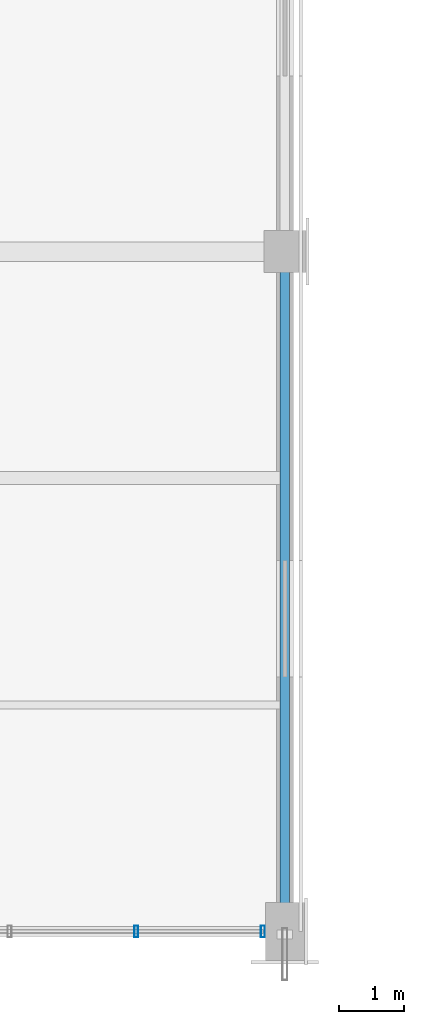
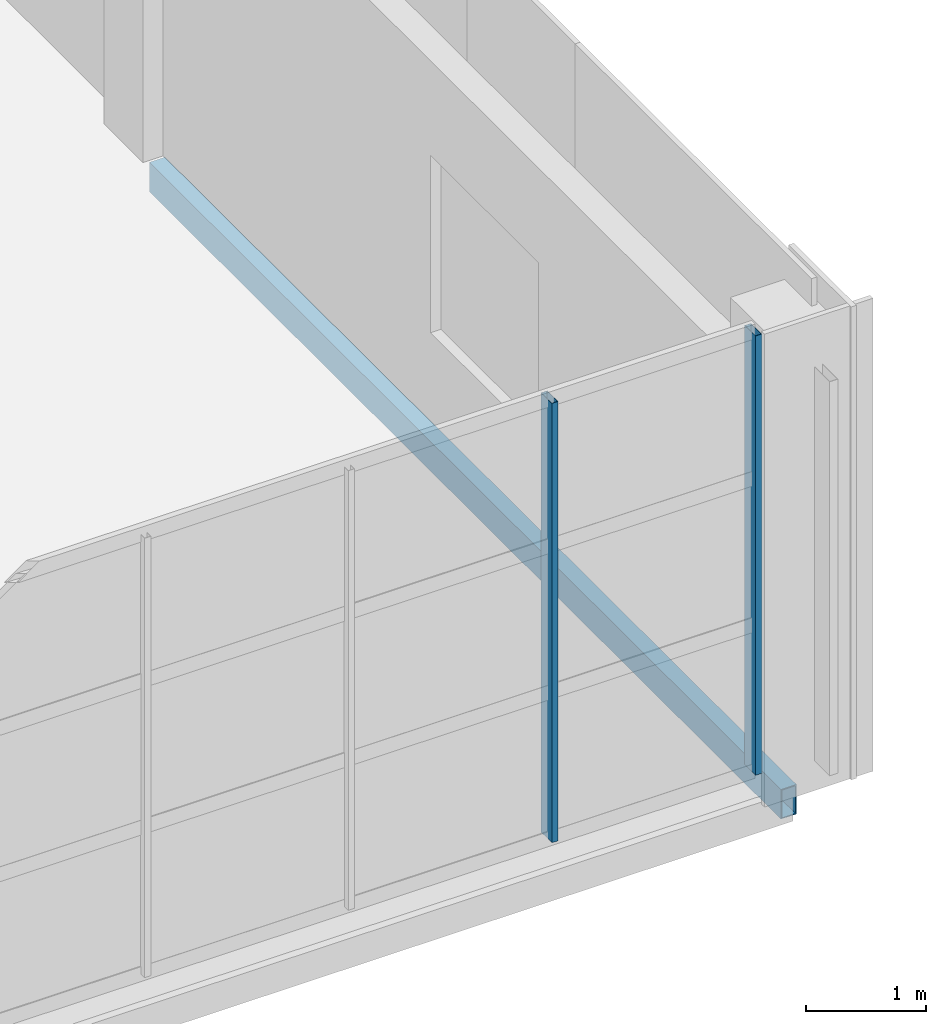
# One storey, part 15 of 66: 2 members, 1 beam, 1 element without a shape of its own.
"""IFC4 building model written with IfcOpenShell, lengths in metres."""

from ifc_helpers import new_model, si_unit, direction, frame, origin, origin_2d, place, context, subcontext, project, spatial, hollow_rectangle, extrude, material, material_profile, profile_set, type_object, element, aggregate, save


model = new_model("IFC4")

# Units and contexts
model_context = context("Model", 3, precision=1e-05, world=origin(), true_north=direction((0.0, 1.0)))
body_context = subcontext(model_context, "Body", "Model", "MODEL_VIEW")
ifc_project = project(units=[si_unit("LENGTHUNIT", "METRE"), si_unit("AREAUNIT", "SQUARE_METRE"), si_unit("VOLUMEUNIT", "CUBIC_METRE"), si_unit("PLANEANGLEUNIT", "RADIAN"), si_unit("MASSUNIT", "GRAM", prefix="KILO")], contexts=[model_context])

# Site, building, storey
site_placement = place(None, origin())
site = spatial("IfcSite", under=ifc_project, at=site_placement, CompositionType="ELEMENT")
building_placement = place(site_placement, origin())
building = spatial("IfcBuilding", under=site, at=building_placement, Name="Solvikara Media Centre", CompositionType="ELEMENT")
storey_placement = place(building_placement, frame((0.0, 0.0, 19.800048828125)))
storey = spatial("IfcBuildingStorey", under=building, at=storey_placement, Name="L04", CompositionType="ELEMENT", Elevation=19.800048828125)

# Beam
ifc_material_1 = material(Name="Steel S355JR", Category="steel")
ifc_material_profile_1 = material_profile(ifc_material_1, hollow_rectangle(XDim=0.14990234375, YDim=0.300048828125, WallThickness=0.010009765625, at=origin_2d()), Name="RHS 300x150x10")
ifc_profile_set_1 = profile_set([ifc_material_profile_1], Name="Steel S355JR")
beam_type = type_object("IfcBeamType", Name="BM-35", PredefinedType="BEAM", material=ifc_profile_set_1)
beam_placement = place(storey_placement, frame((68.0, 0.0, -0.43212890625), z_axis=(0.0, 1.0, 0.0), x_axis=(-1.0, 0.0, 0.0)))
element("IfcBeam", 1, at=beam_placement, inside=storey, type_object=beam_type, Name="B-L04-Y1529", PredefinedType="BEAM", context=body_context, shape_type="SweptSolid", body=[
    extrude(hollow_rectangle(XDim=0.14990234375, YDim=0.300048828125, WallThickness=0.010009765625, at=origin_2d()), origin(), (0.0, 0.0, 1.0), 10.5),
])

# Curtain wall, members
ifc_material_2 = material(Name="Anodised aluminium EN AW-6063", Category="aluminium")
curtain_wall_type = type_object("IfcCurtainWallType", Name="CW-15", PredefinedType="NOTDEFINED", material=ifc_material_2)
curtain_wall_placement = place(storey_placement, origin())
curtain_wall = element("IfcCurtainWall", 2, at=curtain_wall_placement, inside=storey, type_object=curtain_wall_type, Name="CW-L04-V6S-4", PredefinedType="NOTDEFINED")
ifc_material_profile_2 = material_profile(ifc_material_2, hollow_rectangle(XDim=0.06005859375, YDim=0.179931640625, WallThickness=0.00341796875, at=origin_2d()), Name="ALU-M 60x180x3.5")
ifc_profile_set_2 = profile_set([ifc_material_profile_2], Name="Anodised aluminium EN AW-6063")
member_type = type_object("IfcMemberType", Name="MF-03", PredefinedType="MULLION", material=ifc_profile_set_2)
member_1_placement = place(storey_placement, frame((65.705078125, 0.0, 0.02001953125), z_axis=(0.0, 0.0, 1.0), x_axis=(1.0, 0.0, 0.0)))
member_1 = element("IfcMember", 3, at=member_1_placement, type_object=member_type, Name="CW-L04-V6S-4-M03", PredefinedType="MULLION", context=body_context, shape_type="SweptSolid", body=[
    extrude(hollow_rectangle(XDim=0.06005859375, YDim=0.179931640625, WallThickness=0.00341796875, at=origin_2d()), origin(), (0.0, 0.0, 1.0), 4.4599609375),
])
member_2_placement = place(storey_placement, frame((67.659912109375, 0.0, 0.02001953125), z_axis=(0.0, 0.0, 1.0), x_axis=(1.0, 0.0, 0.0)))
member_2 = element("IfcMember", 4, at=member_2_placement, type_object=member_type, Name="CW-L04-V6S-4-M04", PredefinedType="MULLION", context=body_context, shape_type="SweptSolid", body=[
    extrude(hollow_rectangle(XDim=0.06005859375, YDim=0.179931640625, WallThickness=0.00341796875, at=origin_2d()), origin(), (0.0, 0.0, 1.0), 4.4599609375),
])
aggregate(curtain_wall, [member_1, member_2])

save(model, "model.ifc")
